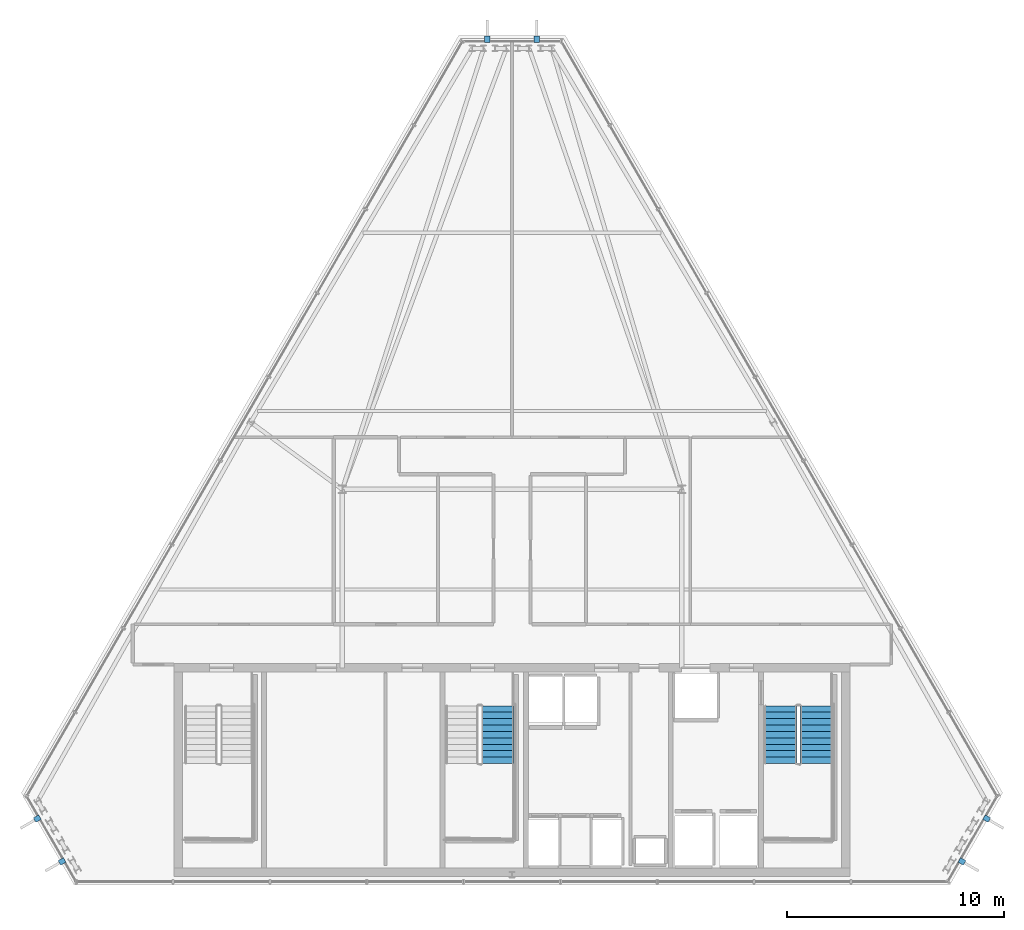
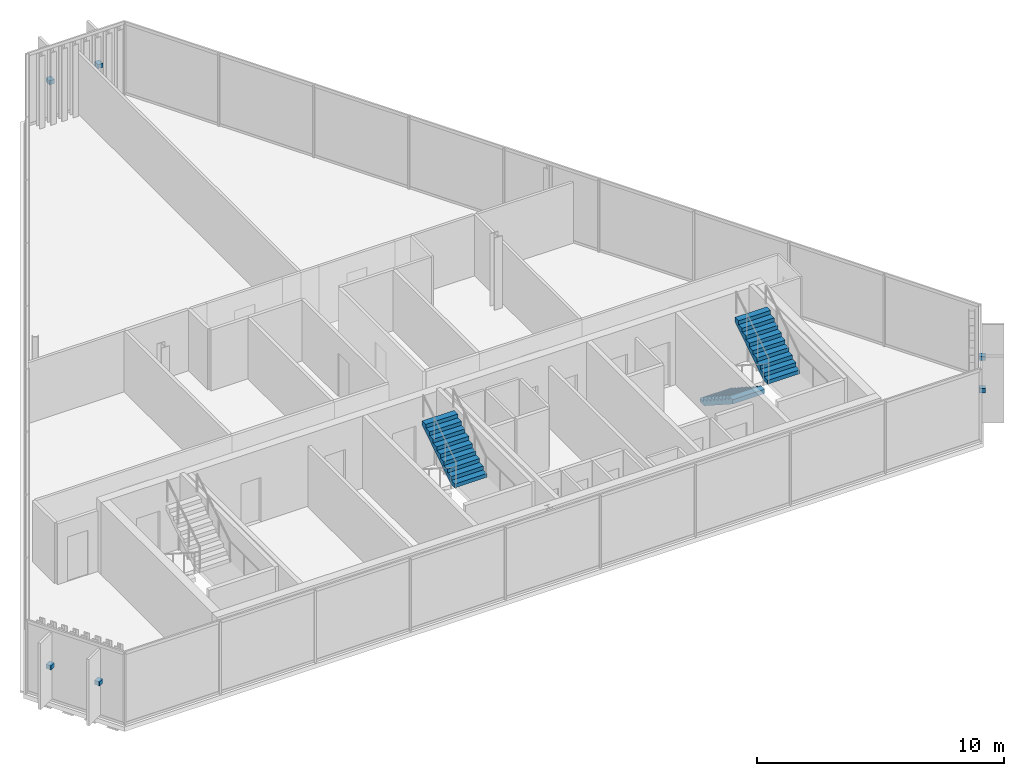
# One storey, part 29 of 32: 6 discrete accessories, 3 stair flights, 2 elements without a shape of their own.
"""IFC4 building model written with IfcOpenShell, lengths in metres."""

import ifcopenshell
import ifcopenshell.guid

model = None  # the IFC model being written
_history = None  # IfcOwnerHistory: only IFC2X3 demands one
_inside = {}  # id of a spatial element -> (the spatial element, [elements in it])
_under = {}  # id of a project, library or spatial element -> (it, [spatial elements below it])
_declared = {}  # id of a project -> (the project, [libraries it declares])
_typed = {}  # id of a type object -> (the type object, [elements of that type])
_made_of = {}  # id of a material, layer set ... -> (it, [elements and type objects made of it])


def new_model(schema):
    """Start an empty IFC model of exactly this schema.

    Asked for "IFC4X3", IfcOpenShell would pick the latest addendum, in which some entities
    have other attributes; the version numbers below select the first issue.
    IFC2X3 requires an IfcOwnerHistory on every rooted entity: one is made here for all.
    """
    global model, _history
    if schema == "IFC4X3":
        model = ifcopenshell.file(schema_version=(4, 3, 0, 0))
    else:
        model = ifcopenshell.file(schema=schema)
    _inside.clear()
    _under.clear()
    _declared.clear()
    _typed.clear()
    _made_of.clear()
    _history = None
    if model.schema == "IFC2X3":
        org = make("IfcOrganization", Name="unknown")
        user = make(
            "IfcPersonAndOrganization",
            ThePerson=make("IfcPerson", FamilyName="unknown"),
            TheOrganization=org,
        )
        app = make(
            "IfcApplication",
            ApplicationDeveloper=org,
            Version="unknown",
            ApplicationFullName="unknown",
            ApplicationIdentifier="unknown",
        )
        _history = make(
            "IfcOwnerHistory",
            OwningUser=user,
            OwningApplication=app,
            ChangeAction="ADDED",
            CreationDate=0,
        )
    return model


def make(cls, **values):
    """One entity of the class cls with the attributes given. An attribute that is None is left unset."""
    return model.create_entity(
        cls, **{name: value for name, value in values.items() if value is not None}
    )


def rooted(cls, **values):
    """An entity with a GlobalId (a new one), such as an element, a storey or a relation."""
    return make(cls, GlobalId=ifcopenshell.guid.new(), OwnerHistory=_history, **values)


def si_unit(unit_type, name, prefix=None):
    """IfcSIUnit, for example si_unit("LENGTHUNIT", "METRE", prefix="MILLI")."""
    return make("IfcSIUnit", UnitType=unit_type, Prefix=prefix, Name=name)


def assignment(units):
    """IfcUnitAssignment: the units of a project."""
    return None if units is None else make("IfcUnitAssignment", Units=units)


def point(xyz):
    """IfcCartesianPoint."""
    return None if xyz is None else make("IfcCartesianPoint", Coordinates=xyz)


def direction(xyz):
    """IfcDirection."""
    return None if xyz is None else make("IfcDirection", DirectionRatios=xyz)


def frame(location, z_axis=None, x_axis=None):
    """IfcAxis2Placement3D, a coordinate frame: its origin and axes. An axis left out is left unset."""
    return make(
        "IfcAxis2Placement3D",
        Location=point(location),
        Axis=direction(z_axis),
        RefDirection=direction(x_axis),
    )


def frame_2d(location, x_axis=None):
    """IfcAxis2Placement2D, a coordinate frame in the plane: its origin and x axis."""
    return make(
        "IfcAxis2Placement2D", Location=point(location), RefDirection=direction(x_axis)
    )


def origin():
    """The frame at (0, 0, 0) with its axes left unset."""
    return frame((0.0, 0.0, 0.0))


def origin_2d():
    """The frame at (0, 0) in the plane with its x axis left unset."""
    return frame_2d((0.0, 0.0))


def place(relative_to, where):
    """IfcLocalPlacement: puts the frame where relative to a parent placement (None: the world)."""
    return make(
        "IfcLocalPlacement", PlacementRelTo=relative_to, RelativePlacement=where
    )


def context(
    kind, dimensions, precision=None, world=None, true_north=None, identifier=None
):
    """IfcGeometricRepresentationContext, for example the 3D "Model" context."""
    return make(
        "IfcGeometricRepresentationContext",
        ContextIdentifier=identifier,
        ContextType=kind,
        CoordinateSpaceDimension=dimensions,
        Precision=precision,
        WorldCoordinateSystem=world,
        TrueNorth=true_north,
    )


def subcontext(parent, identifier, kind, view, scale=None):
    """IfcGeometricRepresentationSubContext, for example "Body" below "Model"."""
    return make(
        "IfcGeometricRepresentationSubContext",
        ContextIdentifier=identifier,
        ContextType=kind,
        ParentContext=parent,
        TargetScale=scale,
        TargetView=view,
    )


def project(units=None, contexts=None):
    """IfcProject with its units and contexts."""
    return rooted(
        "IfcProject",
        Name="project",
        RepresentationContexts=contexts,
        UnitsInContext=assignment(units),
    )


def spatial(cls, under=None, at=None, **own):
    """A site, building, storey or space (cls), placed at a placement, below another one or the project."""
    s = rooted(cls, ObjectPlacement=at, **own)
    if under is not None:
        _under.setdefault(under.id(), (under, []))[1].append(s)
    return s


def polyline(points):
    """IfcPolyline through the points."""
    return make("IfcPolyline", Points=[point(p) for p in points])


def profile(cls, at=None, kind="AREA", **sizes):
    """A parametric profile (cls). Its sizes go by their IFC names, for example OverallWidth=200.0."""
    return make(cls, ProfileType=kind, Position=at, **sizes)


def rectangle(**sizes):
    """IfcRectangleProfileDef."""
    return profile("IfcRectangleProfileDef", **sizes)


def outline(outer, holes=None, kind="AREA"):
    """IfcArbitraryClosedProfileDef: a profile drawn as a closed curve; with holes, ...WithVoids."""
    if holes is None:
        return make("IfcArbitraryClosedProfileDef", ProfileType=kind, OuterCurve=outer)
    return make(
        "IfcArbitraryProfileDefWithVoids",
        ProfileType=kind,
        OuterCurve=outer,
        InnerCurves=holes,
    )


def extrude(swept, where, along, depth):
    """IfcExtrudedAreaSolid: the profile swept, set in the frame where, extruded along a direction by depth."""
    return make(
        "IfcExtrudedAreaSolid",
        SweptArea=swept,
        Position=where,
        ExtrudedDirection=direction(along),
        Depth=depth,
    )


def shape(context_of_items, identifier, shape_type, items):
    """IfcShapeRepresentation: the items that make up one representation, for example the "Body"."""
    return make(
        "IfcShapeRepresentation",
        ContextOfItems=context_of_items,
        RepresentationIdentifier=identifier,
        RepresentationType=shape_type,
        Items=items,
    )


def material(Name=None, Category=None):
    """IfcMaterial."""
    return make("IfcMaterial", Name=Name, Category=Category)


def made_of(thing, what):
    """Note that an element or type object is made of a material, layer set ...; save() writes the relation."""
    if what is not None:
        _made_of.setdefault(what.id(), (what, []))[1].append(thing)
    return thing


def type_object(cls, material=None, **own):
    """A type object (cls), such as IfcWallType, which elements share."""
    return made_of(rooted(cls, **own), material)


def element(
    cls,
    number,
    at=None,
    inside=None,
    cuts=None,
    type_object=None,
    material=None,
    context=None,
    identifier="Body",
    shape_type=None,
    held_by="IfcProductDefinitionShape",
    body=None,
    shapes=None,
    **own,
):
    """One element of the class cls, such as IfcWall. Its Tag is "e" and its number.

    at: its placement. inside: the storey or other place that contains it. cuts: it is an
    opening in that element (IfcRelVoidsElement). A single representation is given by context,
    identifier, shape_type and body (its items); several are given by shapes. held_by: the class
    of the entity that holds the representations. save() writes the other relations.
    """
    e = rooted(cls, Tag="e%d" % number, ObjectPlacement=at, **own)
    if body is not None:
        shapes = [shape(context, identifier, shape_type, body)]
    if shapes is not None:
        e.Representation = make(held_by, Representations=shapes)
    if inside is not None:
        _inside.setdefault(inside.id(), (inside, []))[1].append(e)
    if cuts is not None:
        rooted(
            "IfcRelVoidsElement", RelatingBuildingElement=cuts, RelatedOpeningElement=e
        )
    if type_object is not None:
        _typed.setdefault(type_object.id(), (type_object, []))[1].append(e)
    return made_of(e, material)


def aggregate(whole, parts):
    """IfcRelAggregates: a whole, such as a stair, and the parts it consists of."""
    return rooted("IfcRelAggregates", RelatingObject=whole, RelatedObjects=parts)


def save(model, path):
    """Write the relations noted so far, then the file.

    IfcRelAggregates (storeys below a building ...), IfcRelContainedInSpatialStructure (elements
    in a storey), IfcRelDefinesByType, IfcRelAssociatesMaterial and IfcRelDeclares: one each for
    every whole, place, type object, material and project.
    """
    for whole, parts in _under.values():
        aggregate(whole, parts)
    for where, things in _inside.values():
        rooted(
            "IfcRelContainedInSpatialStructure",
            RelatedElements=things,
            RelatingStructure=where,
        )
    for kind, things in _typed.values():
        rooted("IfcRelDefinesByType", RelatedObjects=things, RelatingType=kind)
    for what, things in _made_of.values():
        rooted("IfcRelAssociatesMaterial", RelatedObjects=things, RelatingMaterial=what)
    for by, libraries in _declared.values():
        rooted("IfcRelDeclares", RelatingContext=by, RelatedDefinitions=libraries)
    model.write(path)


model = new_model("IFC4")

# Units and contexts
model_context = context("Model", 3, precision=1e-05, world=origin(), true_north=direction((0.0, 1.0)))
body_context = subcontext(model_context, "Body", "Model", "MODEL_VIEW")
ifc_project = project(units=[si_unit("LENGTHUNIT", "METRE"), si_unit("AREAUNIT", "SQUARE_METRE"), si_unit("VOLUMEUNIT", "CUBIC_METRE"), si_unit("PLANEANGLEUNIT", "RADIAN"), si_unit("MASSUNIT", "GRAM", prefix="KILO")], contexts=[model_context])

# Site, building, storey
site_placement = place(None, origin())
site = spatial("IfcSite", under=ifc_project, at=site_placement, CompositionType="ELEMENT")
building_placement = place(site_placement, origin())
building = spatial("IfcBuilding", under=site, at=building_placement, Name="Ndaravel Arena Tower", CompositionType="ELEMENT")
storey_placement = place(building_placement, frame((0.0, 0.0, 283.300048828125)))
storey = spatial("IfcBuildingStorey", under=building, at=storey_placement, Name="L69", CompositionType="ELEMENT", Elevation=283.300048828125)

# Stair, stair flight
ifc_material_1 = material(Name="Concrete C40/50", Category="concrete")
stair_type = type_object("IfcStairType", Name="STAIR-CORE-HT", PredefinedType="HALF_TURN_STAIR", material=ifc_material_1)
stair_1_placement = place(storey_placement, origin())
stair_1 = element("IfcStair", 1, at=stair_1_placement, inside=storey, type_object=stair_type, Name="L69 ST-2", PredefinedType="HALF_TURN_STAIR")
ifc_material_2 = material(Name="Concrete C40/50", Category="concrete")
stair_flight_type = type_object("IfcStairFlightType", Name="SFLIGHT-CORE-1680", PredefinedType="STRAIGHT", material=ifc_material_2)
stair_flight_1_placement = place(storey_placement, frame((41.340087890625, 10.594970703125, 1.89990234375), z_axis=(0.0, 0.0, 1.0), x_axis=(0.0, 1.0, 0.0)))
stair_flight_1 = element("IfcStairFlight", 2, at=stair_flight_1_placement, type_object=stair_flight_type, Name="ST-2 flight 2", NumberOfRisers=10, NumberOfTreads=9, PredefinedType="STRAIGHT", RiserHeight=0.19, TreadLength=0.295, context=body_context, shape_type="SweptSolid", body=[
    extrude(outline(polyline([(0.0, 0.0), (0.0, 0.18994140625), (0.294921875, 0.18994140625), (0.294921875, 0.3798828125), (0.590087890625, 0.3798828125), (0.590087890625, 0.570068359375), (0.885009765625, 0.570068359375), (0.885009765625, 0.760009765625), (1.179931640625, 0.760009765625), (1.179931640625, 0.949951171875), (1.47509765625, 0.949951171875), (1.47509765625, 1.139892578125), (1.77001953125, 1.139892578125), (1.77001953125, 1.330078125), (2.06494140625, 1.330078125), (2.06494140625, 1.52001953125), (2.360107421875, 1.52001953125), (2.360107421875, 1.7099609375), (2.655029296875, 1.7099609375), (2.655029296875, 1.89990234375), (2.655029296875, 1.49609375), (0.332275390625, 0.0), (0.0, 0.0)])), frame((0.0, 0.75, 0.0), z_axis=(0.0, -1.0, 0.0), x_axis=(1.0, 0.0, 0.0)), (0.0, 0.0, 1.0), 1.5),
])
aggregate(stair_1, [stair_flight_1])

# Stair, stair flights
stair_2_placement = place(storey_placement, origin())
stair_2 = element("IfcStair", 3, at=stair_2_placement, inside=storey, type_object=stair_type, Name="L69 ST-3", PredefinedType="HALF_TURN_STAIR")
stair_flight_2_placement = place(storey_placement, frame((54.35009765625, 13.25, 0.0), z_axis=(0.0, 0.0, 1.0), x_axis=(0.0, -1.0, 0.0)))
stair_flight_2 = element("IfcStairFlight", 4, at=stair_flight_2_placement, type_object=stair_flight_type, Name="ST-3 flight 1", NumberOfRisers=10, NumberOfTreads=9, PredefinedType="STRAIGHT", RiserHeight=0.19, TreadLength=0.295, context=body_context, shape_type="SweptSolid", body=[
    extrude(outline(polyline([(0.0, 0.0), (0.0, 0.18994140625), (0.294921875, 0.18994140625), (0.294921875, 0.3798828125), (0.590087890625, 0.3798828125), (0.590087890625, 0.570068359375), (0.885009765625, 0.570068359375), (0.885009765625, 0.760009765625), (1.179931640625, 0.760009765625), (1.179931640625, 0.949951171875), (1.47509765625, 0.949951171875), (1.47509765625, 1.139892578125), (1.77001953125, 1.139892578125), (1.77001953125, 1.330078125), (2.06494140625, 1.330078125), (2.06494140625, 1.52001953125), (2.360107421875, 1.52001953125), (2.360107421875, 1.7099609375), (2.655029296875, 1.7099609375), (2.655029296875, 1.89990234375), (2.655029296875, 1.49609375), (0.332275390625, 0.0), (0.0, 0.0)])), frame((0.0, 0.75, 0.0), z_axis=(0.0, -1.0, 0.0), x_axis=(1.0, 0.0, 0.0)), (0.0, 0.0, 1.0), 1.5),
])
stair_flight_3_placement = place(storey_placement, frame((55.989990234375, 10.594970703125, 1.89990234375), z_axis=(0.0, 0.0, 1.0), x_axis=(0.0, 1.0, 0.0)))
stair_flight_3 = element("IfcStairFlight", 5, at=stair_flight_3_placement, type_object=stair_flight_type, Name="ST-3 flight 2", NumberOfRisers=10, NumberOfTreads=9, PredefinedType="STRAIGHT", RiserHeight=0.19, TreadLength=0.295, context=body_context, shape_type="SweptSolid", body=[
    extrude(outline(polyline([(0.0, 0.0), (0.0, 0.18994140625), (0.294921875, 0.18994140625), (0.294921875, 0.3798828125), (0.590087890625, 0.3798828125), (0.590087890625, 0.570068359375), (0.885009765625, 0.570068359375), (0.885009765625, 0.760009765625), (1.179931640625, 0.760009765625), (1.179931640625, 0.949951171875), (1.47509765625, 0.949951171875), (1.47509765625, 1.139892578125), (1.77001953125, 1.139892578125), (1.77001953125, 1.330078125), (2.06494140625, 1.330078125), (2.06494140625, 1.52001953125), (2.360107421875, 1.52001953125), (2.360107421875, 1.7099609375), (2.655029296875, 1.7099609375), (2.655029296875, 1.89990234375), (2.655029296875, 1.49609375), (0.332275390625, 0.0), (0.0, 0.0)])), frame((0.0, 0.75, 0.0), z_axis=(0.0, -1.0, 0.0), x_axis=(1.0, 0.0, 0.0)), (0.0, 0.0, 1.0), 1.5),
])
aggregate(stair_2, [stair_flight_2, stair_flight_3])

# Discrete accessories
ifc_material_3 = material(Name="Steel S355", Category="steel")
discrete_accessory_type = type_object("IfcDiscreteAccessoryType", Name="ACC-BRACKET-FIN", PredefinedType="BRACKET", material=ifc_material_3)
for number, where, z_axis, x_axis, name in (
    (6, (62.689697265625, 6.093994140625, 1.68994140625), (0.0, 0.0, 1.0), (0.866025403784, -0.5, 0.0), "L69 Mazeras Stone Solar Fin E2.1 Bracket"),
    (7, (63.825927734375, 8.06201171875, 1.68994140625), (0.0, 0.0, 1.0), (0.866025403784, -0.5, 0.0), "L69 Mazeras Stone Solar Fin E2.2 Bracket"),
    (8, (43.13623046875, 43.897705078125, 1.68994140625), (0.0, 0.0, 1.0), (0.0, 1.0, 0.0), "L69 Mazeras Stone Solar Fin E4.1 Bracket"),
    (9, (40.86376953125, 43.897705078125, 1.68994140625), (0.0, 0.0, 1.0), (0.0, 1.0, 0.0), "L69 Mazeras Stone Solar Fin E4.2 Bracket"),
    (10, (20.174072265625, 8.06201171875, 1.68994140625), (0.0, 0.0, 1.0), (-0.866025403784, -0.5, 0.0), "L69 Mazeras Stone Solar Fin E6.1 Bracket"),
    (11, (21.310302734375, 6.093994140625, 1.68994140625), (0.0, 0.0, 1.0), (-0.866025403784, -0.5, 0.0), "L69 Mazeras Stone Solar Fin E6.2 Bracket"),
):
    element("IfcDiscreteAccessory", number, at=place(storey_placement, frame(where, z_axis=z_axis, x_axis=x_axis)), inside=storey, type_object=discrete_accessory_type, Name=name, PredefinedType="BRACKET", context=body_context, shape_type="SweptSolid", body=[
        extrude(rectangle(XDim=0.280029296875, YDim=0.239990234375, at=origin_2d()), origin(), (0.0, 0.0, 1.0), 0.199951171875),
    ])

save(model, "model.ifc")
